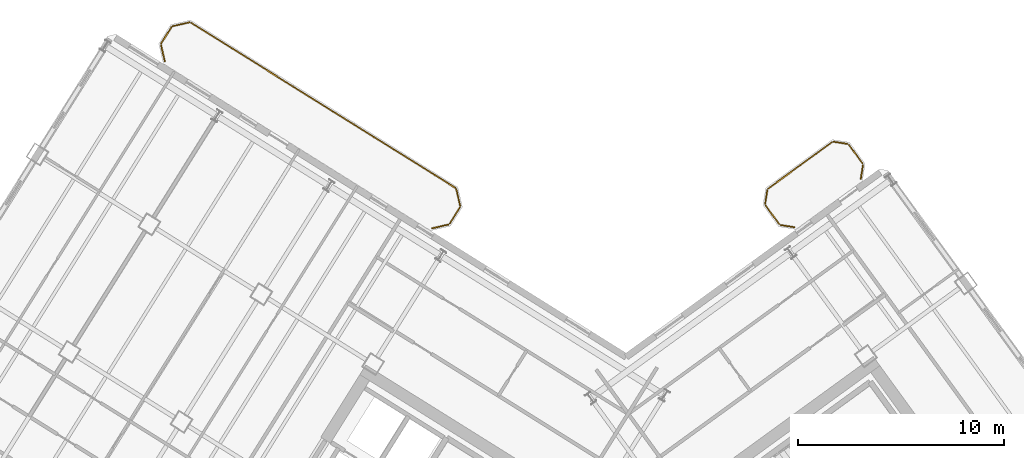
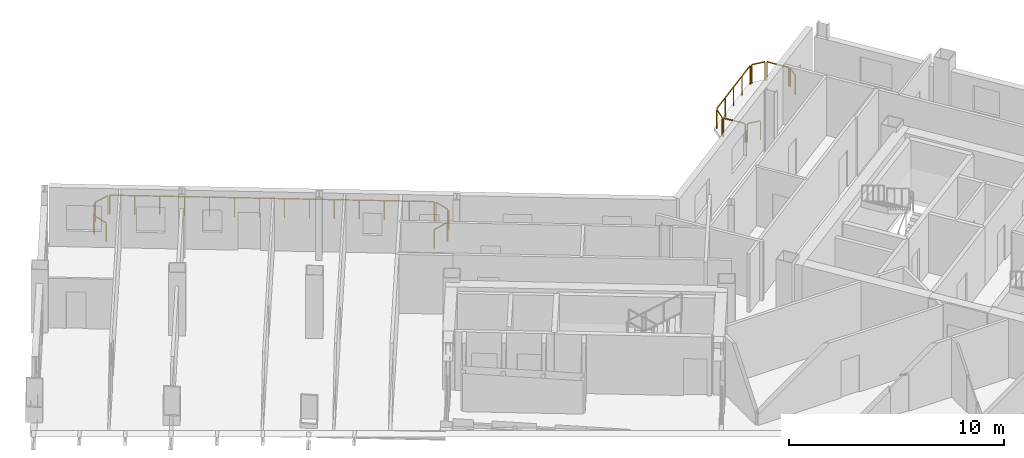
# One storey, part 20 of 20: 14 railings.
"""IFC4 building model written with IfcOpenShell, lengths in metres."""

from ifc_helpers import new_model, si_unit, direction, frame, origin, origin_2d, place, context, subcontext, project, spatial, rectangle, extrude, source, transform, mapped, material, type_object, element, save


model = new_model("IFC4")

# Units and contexts
model_context = context("Model", 3, precision=1e-05, world=origin(), true_north=direction((0.0, 1.0)))
body_context = subcontext(model_context, "Body", "Model", "MODEL_VIEW")
ifc_project = project(units=[si_unit("LENGTHUNIT", "METRE"), si_unit("AREAUNIT", "SQUARE_METRE"), si_unit("VOLUMEUNIT", "CUBIC_METRE"), si_unit("PLANEANGLEUNIT", "RADIAN"), si_unit("MASSUNIT", "GRAM", prefix="KILO")], contexts=[model_context])

# Site, building, storey
site_placement = place(None, origin())
site = spatial("IfcSite", under=ifc_project, at=site_placement, CompositionType="ELEMENT")
building_placement = place(site_placement, origin())
building = spatial("IfcBuilding", under=site, at=building_placement, Name="Tlacorven Tower", CompositionType="ELEMENT")
storey_placement = place(building_placement, frame((0.0, 0.0, 204.0)))
storey = spatial("IfcBuildingStorey", under=building, at=storey_placement, Name="L51", CompositionType="ELEMENT", Elevation=204.0)

# Railings
ifc_material = material(Name="Aluminium and painted steel balustrade", Category="steel")
railing_type = type_object("IfcRailingType", Name="RL-BAL-1100", PredefinedType="BALUSTRADE", material=ifc_material)
shared_shape_1 = source(origin(), body_context, "Body", "SweptSolid", [
    extrude(rectangle(XDim=0.048095703125, YDim=0.048095703125, at=origin_2d()), frame((0.0, 0.0, 1.076171875), z_axis=(0.974345290916, 0.225058334816, 0.0), x_axis=(-0.225058334816, 0.974345290916, 0.0)), (0.0, 0.0, 1.0), 0.80712890625),
    extrude(rectangle(XDim=0.0419921875, YDim=0.0419921875, at=origin_2d()), origin(), (0.0, 0.0, 1.0), 1.052001953125),
    extrude(rectangle(XDim=0.0419921875, YDim=0.0419921875, at=origin_2d()), frame((0.786376953125, 0.181640625, 0.0)), (0.0, 0.0, 1.0), 1.052001953125),
])
railing_1_placement = place(storey_placement, frame((20.2138671875, 47.643798828125, 0.0)))
element("IfcRailing", 1, at=railing_1_placement, inside=storey, type_object=railing_type, Name="BAL-L51-W-IN Guard Railing 6", PredefinedType="BALUSTRADE", context=body_context, shape_type="MappedRepresentation", body=[
    mapped(shared_shape_1, transform((0.0, 0.0, 0.0), scale=1.0)),
])
shared_shape_2 = source(origin(), body_context, "Body", "SweptSolid", [
    extrude(rectangle(XDim=0.048095703125, YDim=0.048095703125, at=origin_2d()), frame((0.0, 0.0, 1.076171875), z_axis=(-0.987661653326, 0.156602868908, 0.0), x_axis=(-0.156602868908, -0.987661653326, 0.0)), (0.0, 0.0, 1.0), 0.665771484375),
    extrude(rectangle(XDim=0.0419921875, YDim=0.0419921875, at=origin_2d()), origin(), (0.0, 0.0, 1.0), 1.052001953125),
    extrude(rectangle(XDim=0.0419921875, YDim=0.0419921875, at=origin_2d()), frame((-0.657470703125, 0.104248046875, 0.0)), (0.0, 0.0, 1.0), 1.052001953125),
])
railing_2_placement = place(storey_placement, frame((50.359130859375, 37.891845703125, 0.0)))
element("IfcRailing", 2, at=railing_2_placement, inside=storey, type_object=railing_type, Name="BAL-L51-E-IN Guard Railing 1", PredefinedType="BALUSTRADE", context=body_context, shape_type="MappedRepresentation", body=[
    mapped(shared_shape_2, transform((0.0, 0.0, 0.0), scale=1.0)),
])
shared_shape_3 = source(origin(), body_context, "Body", "SweptSolid", [
    extrude(rectangle(XDim=0.048095703125, YDim=0.048095703125, at=origin_2d()), frame((0.0, 0.0, 1.076171875), z_axis=(0.156602868908, 0.987661653326, 0.0), x_axis=(-0.987661653326, 0.156602868908, 0.0)), (0.0, 0.0, 1.0), 0.665771484375),
    extrude(rectangle(XDim=0.0419921875, YDim=0.0419921875, at=origin_2d()), origin(), (0.0, 0.0, 1.0), 1.052001953125),
    extrude(rectangle(XDim=0.0419921875, YDim=0.0419921875, at=origin_2d()), frame((0.104248046875, 0.657470703125, 0.0)), (0.0, 0.0, 1.0), 1.052001953125),
])
railing_3_placement = place(storey_placement, frame((48.947509765625, 39.033935546875, 0.0)))
element("IfcRailing", 3, at=railing_3_placement, inside=storey, type_object=railing_type, Name="BAL-L51-E-IN Guard Railing 3", PredefinedType="BALUSTRADE", context=body_context, shape_type="MappedRepresentation", body=[
    mapped(shared_shape_3, transform((0.0, 0.0, 0.0), scale=1.0)),
])
shared_shape_4 = source(origin(), body_context, "Body", "SweptSolid", [
    extrude(rectangle(XDim=0.048095703125, YDim=0.048095703125, at=origin_2d()), frame((0.0, 0.0, 1.076171875), z_axis=(-0.156245081039, -0.987718317463, 0.0), x_axis=(0.987718317463, -0.156245081039, 0.0)), (0.0, 0.0, 1.0), 0.66552734375),
    extrude(rectangle(XDim=0.0419921875, YDim=0.0419921875, at=origin_2d()), origin(), (0.0, 0.0, 1.0), 1.052001953125),
    extrude(rectangle(XDim=0.0419921875, YDim=0.0419921875, at=origin_2d()), frame((-0.10400390625, -0.657470703125, 0.0)), (0.0, 0.0, 1.0), 1.052001953125),
])
railing_4_placement = place(storey_placement, frame((53.689453125, 40.893310546875, 0.0)))
element("IfcRailing", 4, at=railing_4_placement, inside=storey, type_object=railing_type, Name="BAL-L51-E-IN Guard Railing 7", PredefinedType="BALUSTRADE", context=body_context, shape_type="MappedRepresentation", body=[
    mapped(shared_shape_4, transform((0.0, 0.0, 0.0), scale=1.0)),
])
shared_shape_5 = source(origin(), body_context, "Body", "SweptSolid", [
    extrude(rectangle(XDim=0.048095703125, YDim=0.048095703125, at=origin_2d()), frame((0.0, 0.0, 1.076171875), z_axis=(0.529998940003, 0.847998304005, 0.0), x_axis=(-0.847998304005, 0.529998940003, 0.0)), (0.0, 0.0, 1.0), 0.912109375),
    extrude(rectangle(XDim=0.0419921875, YDim=0.0419921875, at=origin_2d()), origin(), (0.0, 0.0, 1.0), 1.052001953125),
    extrude(rectangle(XDim=0.0419921875, YDim=0.0419921875, at=origin_2d()), frame((0.4833984375, 0.7734375, 0.0)), (0.0, 0.0, 1.0), 1.052001953125),
])
railing_5_placement = place(storey_placement, frame((19.6552734375, 46.816650390625, 0.0)))
element("IfcRailing", 5, at=railing_5_placement, inside=storey, type_object=railing_type, Name="BAL-L51-W-IN Guard Railing 5", PredefinedType="BALUSTRADE", context=body_context, shape_type="MappedRepresentation", body=[
    mapped(shared_shape_5, transform((0.0, 0.0, 0.0), scale=1.0)),
])
shared_shape_6 = source(origin(), body_context, "Body", "SweptSolid", [
    extrude(rectangle(XDim=0.048095703125, YDim=0.048095703125, at=origin_2d()), frame((0.0, 0.0, 1.076171875), z_axis=(0.224992020761, -0.974360606036, 0.0), x_axis=(0.974360606036, 0.224992020761, 0.0)), (0.0, 0.0, 1.0), 0.807373046875),
    extrude(rectangle(XDim=0.0419921875, YDim=0.0419921875, at=origin_2d()), origin(), (0.0, 0.0, 1.0), 1.052001953125),
    extrude(rectangle(XDim=0.0419921875, YDim=0.0419921875, at=origin_2d()), frame((0.181640625, -0.78662109375, 0.0)), (0.0, 0.0, 1.0), 1.052001953125),
])
railing_6_placement = place(storey_placement, frame((33.965087890625, 39.72412109375, 0.0)))
element("IfcRailing", 6, at=railing_6_placement, inside=storey, type_object=railing_type, Name="BAL-L51-W-IN Guard Railing 1", PredefinedType="BALUSTRADE", context=body_context, shape_type="MappedRepresentation", body=[
    mapped(shared_shape_6, transform((0.0, 0.0, 0.0), scale=1.0)),
])
shared_shape_7 = source(origin(), body_context, "Body", "SweptSolid", [
    extrude(rectangle(XDim=0.048095703125, YDim=0.048095703125, at=origin_2d()), frame((0.0, 0.0, 1.076171875), z_axis=(-0.529998940003, -0.847998304005, 0.0), x_axis=(0.847998304005, -0.529998940003, 0.0)), (0.0, 0.0, 1.0), 0.912109375),
    extrude(rectangle(XDim=0.0419921875, YDim=0.0419921875, at=origin_2d()), origin(), (0.0, 0.0, 1.0), 1.052001953125),
    extrude(rectangle(XDim=0.0419921875, YDim=0.0419921875, at=origin_2d()), frame((-0.4833984375, -0.7734375, 0.0)), (0.0, 0.0, 1.0), 1.052001953125),
])
railing_7_placement = place(storey_placement, frame((34.131591796875, 38.846435546875, 0.0)))
element("IfcRailing", 7, at=railing_7_placement, inside=storey, type_object=railing_type, Name="BAL-L51-W-IN Guard Railing 2", PredefinedType="BALUSTRADE", context=body_context, shape_type="MappedRepresentation", body=[
    mapped(shared_shape_7, transform((0.0, 0.0, 0.0), scale=1.0)),
])
shared_shape_8 = source(origin(), body_context, "Body", "SweptSolid", [
    extrude(rectangle(XDim=0.048095703125, YDim=0.048095703125, at=origin_2d()), frame((0.0, 0.0, 1.076171875), z_axis=(-0.974360606036, -0.224992020761, 0.0), x_axis=(0.224992020761, -0.974360606036, 0.0)), (0.0, 0.0, 1.0), 0.807373046875),
    extrude(rectangle(XDim=0.0419921875, YDim=0.0419921875, at=origin_2d()), origin(), (0.0, 0.0, 1.0), 1.052001953125),
    extrude(rectangle(XDim=0.0419921875, YDim=0.0419921875, at=origin_2d()), frame((-0.78662109375, -0.181640625, 0.0)), (0.0, 0.0, 1.0), 1.052001953125),
])
railing_8_placement = place(storey_placement, frame((33.572998046875, 38.019287109375, 0.0)))
element("IfcRailing", 8, at=railing_8_placement, inside=storey, type_object=railing_type, Name="BAL-L51-W-IN Guard Railing 3", PredefinedType="BALUSTRADE", context=body_context, shape_type="MappedRepresentation", body=[
    mapped(shared_shape_8, transform((0.0, 0.0, 0.0), scale=1.0)),
])
shared_shape_9 = source(origin(), body_context, "Body", "SweptSolid", [
    extrude(rectangle(XDim=0.048095703125, YDim=0.048095703125, at=origin_2d()), frame((0.0, 0.0, 1.076171875), z_axis=(-0.22470489119, 0.974426863277, 0.0), x_axis=(-0.974426863277, -0.22470489119, 0.0)), (0.0, 0.0, 1.0), 0.807373046875),
    extrude(rectangle(XDim=0.0419921875, YDim=0.0419921875, at=origin_2d()), origin(), (0.0, 0.0, 1.0), 1.052001953125),
    extrude(rectangle(XDim=0.0419921875, YDim=0.0419921875, at=origin_2d()), frame((-0.181396484375, 0.78662109375, 0.0)), (0.0, 0.0, 1.0), 1.052001953125),
])
railing_9_placement = place(storey_placement, frame((19.821533203125, 45.93896484375, 0.0)))
element("IfcRailing", 9, at=railing_9_placement, inside=storey, type_object=railing_type, Name="BAL-L51-W-IN Guard Railing 4", PredefinedType="BALUSTRADE", context=body_context, shape_type="MappedRepresentation", body=[
    mapped(shared_shape_9, transform((0.0, 0.0, 0.0), scale=1.0)),
])
shared_shape_10 = source(origin(), body_context, "Body", "SweptSolid", [
    extrude(rectangle(XDim=0.048095703125, YDim=0.048095703125, at=origin_2d()), frame((0.0, 0.0, 1.076171875), z_axis=(0.848051830527, -0.529913287944, 0.0), x_axis=(0.529913287944, 0.848051830527, 0.0)), (0.0, 0.0, 1.0), 15.1171875),
    extrude(rectangle(XDim=0.0419921875, YDim=0.0419921875, at=origin_2d()), origin(), (0.0, 0.0, 1.0), 1.052001953125),
    extrude(rectangle(XDim=0.0419921875, YDim=0.0419921875, at=origin_2d()), frame((0.986083984375, -0.6162109375, 0.0)), (0.0, 0.0, 1.0), 1.052001953125),
    extrude(rectangle(XDim=0.0419921875, YDim=0.0419921875, at=origin_2d()), frame((1.972412109375, -1.232421875, 0.0)), (0.0, 0.0, 1.0), 1.052001953125),
    extrude(rectangle(XDim=0.0419921875, YDim=0.0419921875, at=origin_2d()), frame((2.95849609375, -1.8486328125, 0.0)), (0.0, 0.0, 1.0), 1.052001953125),
    extrude(rectangle(XDim=0.0419921875, YDim=0.0419921875, at=origin_2d()), frame((3.944580078125, -2.46484375, 0.0)), (0.0, 0.0, 1.0), 1.052001953125),
    extrude(rectangle(XDim=0.0419921875, YDim=0.0419921875, at=origin_2d()), frame((4.930908203125, -3.0810546875, 0.0)), (0.0, 0.0, 1.0), 1.052001953125),
    extrude(rectangle(XDim=0.0419921875, YDim=0.0419921875, at=origin_2d()), frame((5.9169921875, -3.697265625, 0.0)), (0.0, 0.0, 1.0), 1.052001953125),
    extrude(rectangle(XDim=0.0419921875, YDim=0.0419921875, at=origin_2d()), frame((6.903076171875, -4.3134765625, 0.0)), (0.0, 0.0, 1.0), 1.052001953125),
    extrude(rectangle(XDim=0.0419921875, YDim=0.0419921875, at=origin_2d()), frame((7.88916015625, -4.9296875, 0.0)), (0.0, 0.0, 1.0), 1.052001953125),
    extrude(rectangle(XDim=0.0419921875, YDim=0.0419921875, at=origin_2d()), frame((8.87548828125, -5.5458984375, 0.0)), (0.0, 0.0, 1.0), 1.052001953125),
    extrude(rectangle(XDim=0.0419921875, YDim=0.0419921875, at=origin_2d()), frame((9.861572265625, -6.162109375, 0.0)), (0.0, 0.0, 1.0), 1.052001953125),
    extrude(rectangle(XDim=0.0419921875, YDim=0.0419921875, at=origin_2d()), frame((10.84765625, -6.7783203125, 0.0)), (0.0, 0.0, 1.0), 1.052001953125),
    extrude(rectangle(XDim=0.0419921875, YDim=0.0419921875, at=origin_2d()), frame((11.833984375, -7.39453125, 0.0)), (0.0, 0.0, 1.0), 1.052001953125),
    extrude(rectangle(XDim=0.0419921875, YDim=0.0419921875, at=origin_2d()), frame((12.820068359375, -8.0107421875, 0.0)), (0.0, 0.0, 1.0), 1.052001953125),
])
railing_10_placement = place(storey_placement, frame((21.091552734375, 47.81005859375, 0.0)))
element("IfcRailing", 10, at=railing_10_placement, inside=storey, type_object=railing_type, Name="BAL-L51-W-IN Guard Railing 7", PredefinedType="BALUSTRADE", context=body_context, shape_type="MappedRepresentation", body=[
    mapped(shared_shape_10, transform((0.0, 0.0, 0.0), scale=1.0)),
])
shared_shape_11 = source(origin(), body_context, "Body", "SweptSolid", [
    extrude(rectangle(XDim=0.048095703125, YDim=0.048095703125, at=origin_2d()), frame((0.0, 0.0, 1.076171875), z_axis=(-0.587636431696, 0.809125097957, 0.0), x_axis=(-0.809125097957, -0.587636431696, 0.0)), (0.0, 0.0, 1.0), 1.1123046875),
    extrude(rectangle(XDim=0.0419921875, YDim=0.0419921875, at=origin_2d()), origin(), (0.0, 0.0, 1.0), 1.052001953125),
    extrude(rectangle(XDim=0.0419921875, YDim=0.0419921875, at=origin_2d()), frame((-0.653564453125, 0.89990234375, 0.0)), (0.0, 0.0, 1.0), 1.052001953125),
])
railing_11_placement = place(storey_placement, frame((49.622802734375, 38.044189453125, 0.0)))
element("IfcRailing", 11, at=railing_11_placement, inside=storey, type_object=railing_type, Name="BAL-L51-E-IN Guard Railing 2", PredefinedType="BALUSTRADE", context=body_context, shape_type="MappedRepresentation", body=[
    mapped(shared_shape_11, transform((0.0, 0.0, 0.0), scale=1.0)),
])
shared_shape_12 = source(origin(), body_context, "Body", "SweptSolid", [
    extrude(rectangle(XDim=0.048095703125, YDim=0.048095703125, at=origin_2d()), frame((0.0, 0.0, 1.076171875), z_axis=(0.809018102573, 0.587783726986, 0.0), x_axis=(-0.587783726986, 0.809018102573, 0.0)), (0.0, 0.0, 1.0), 3.817138671875),
    extrude(rectangle(XDim=0.0419921875, YDim=0.0419921875, at=origin_2d()), origin(), (0.0, 0.0, 1.0), 1.052001953125),
    extrude(rectangle(XDim=0.0419921875, YDim=0.0419921875, at=origin_2d()), frame((0.77197265625, 0.56103515625, 0.0)), (0.0, 0.0, 1.0), 1.052001953125),
    extrude(rectangle(XDim=0.0419921875, YDim=0.0419921875, at=origin_2d()), frame((1.5439453125, 1.121826171875, 0.0)), (0.0, 0.0, 1.0), 1.052001953125),
    extrude(rectangle(XDim=0.0419921875, YDim=0.0419921875, at=origin_2d()), frame((2.316162109375, 1.6826171875, 0.0)), (0.0, 0.0, 1.0), 1.052001953125),
    extrude(rectangle(XDim=0.0419921875, YDim=0.0419921875, at=origin_2d()), frame((3.088134765625, 2.24365234375, 0.0)), (0.0, 0.0, 1.0), 1.052001953125),
])
railing_12_placement = place(storey_placement, frame((49.10009765625, 39.77001953125, 0.0)))
element("IfcRailing", 12, at=railing_12_placement, inside=storey, type_object=railing_type, Name="BAL-L51-E-IN Guard Railing 4", PredefinedType="BALUSTRADE", context=body_context, shape_type="MappedRepresentation", body=[
    mapped(shared_shape_12, transform((0.0, 0.0, 0.0), scale=1.0)),
])
shared_shape_13 = source(origin(), body_context, "Body", "SweptSolid", [
    extrude(rectangle(XDim=0.048095703125, YDim=0.048095703125, at=origin_2d()), frame((0.0, 0.0, 1.076171875), z_axis=(0.987661653326, -0.156602868908, 0.0), x_axis=(0.156602868908, 0.987661653326, 0.0)), (0.0, 0.0, 1.0), 0.665771484375),
    extrude(rectangle(XDim=0.0419921875, YDim=0.0419921875, at=origin_2d()), origin(), (0.0, 0.0, 1.0), 1.052001953125),
    extrude(rectangle(XDim=0.0419921875, YDim=0.0419921875, at=origin_2d()), frame((0.657470703125, -0.104248046875, 0.0)), (0.0, 0.0, 1.0), 1.052001953125),
])
railing_13_placement = place(storey_placement, frame((52.278076171875, 42.035400390625, 0.0)))
element("IfcRailing", 13, at=railing_13_placement, inside=storey, type_object=railing_type, Name="BAL-L51-E-IN Guard Railing 5", PredefinedType="BALUSTRADE", context=body_context, shape_type="MappedRepresentation", body=[
    mapped(shared_shape_13, transform((0.0, 0.0, 0.0), scale=1.0)),
])
shared_shape_14 = source(origin(), body_context, "Body", "SweptSolid", [
    extrude(rectangle(XDim=0.048095703125, YDim=0.048095703125, at=origin_2d()), frame((0.0, 0.0, 1.076171875), z_axis=(0.587780115446, -0.809020726488, 0.0), x_axis=(0.809020726488, 0.587780115446, 0.0)), (0.0, 0.0, 1.0), 1.1123046875),
    extrude(rectangle(XDim=0.0419921875, YDim=0.0419921875, at=origin_2d()), origin(), (0.0, 0.0, 1.0), 1.052001953125),
    extrude(rectangle(XDim=0.0419921875, YDim=0.0419921875, at=origin_2d()), frame((0.65380859375, -0.89990234375, 0.0)), (0.0, 0.0, 1.0), 1.052001953125),
])
railing_14_placement = place(storey_placement, frame((53.01416015625, 41.883056640625, 0.0)))
element("IfcRailing", 14, at=railing_14_placement, inside=storey, type_object=railing_type, Name="BAL-L51-E-IN Guard Railing 6", PredefinedType="BALUSTRADE", context=body_context, shape_type="MappedRepresentation", body=[
    mapped(shared_shape_14, transform((0.0, 0.0, 0.0), scale=1.0)),
])

save(model, "model.ifc")
